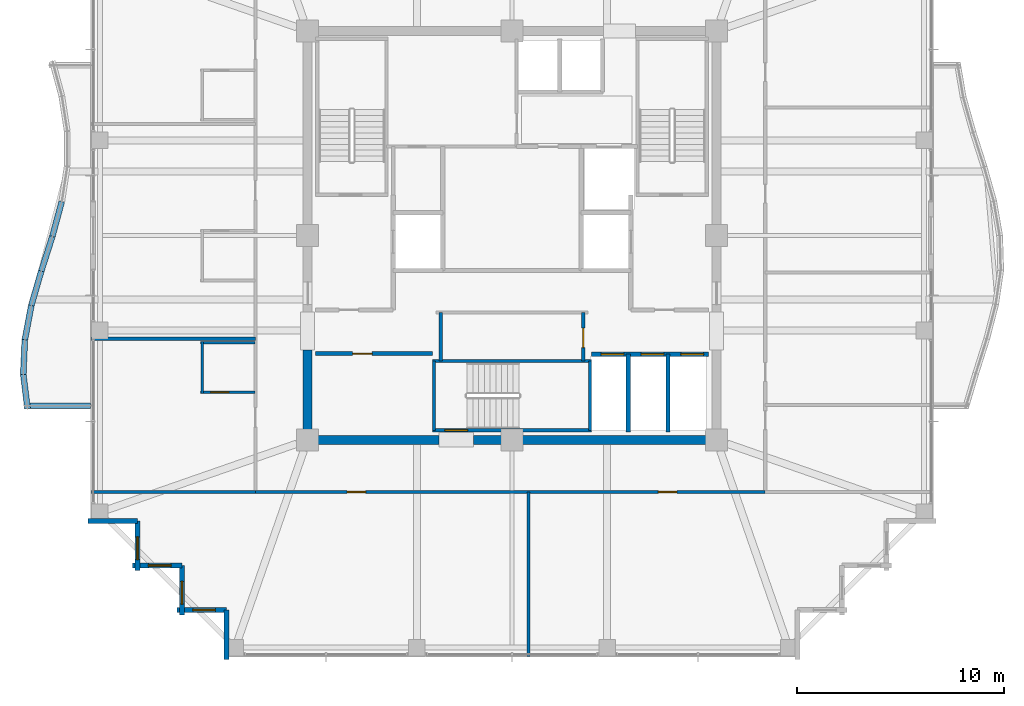
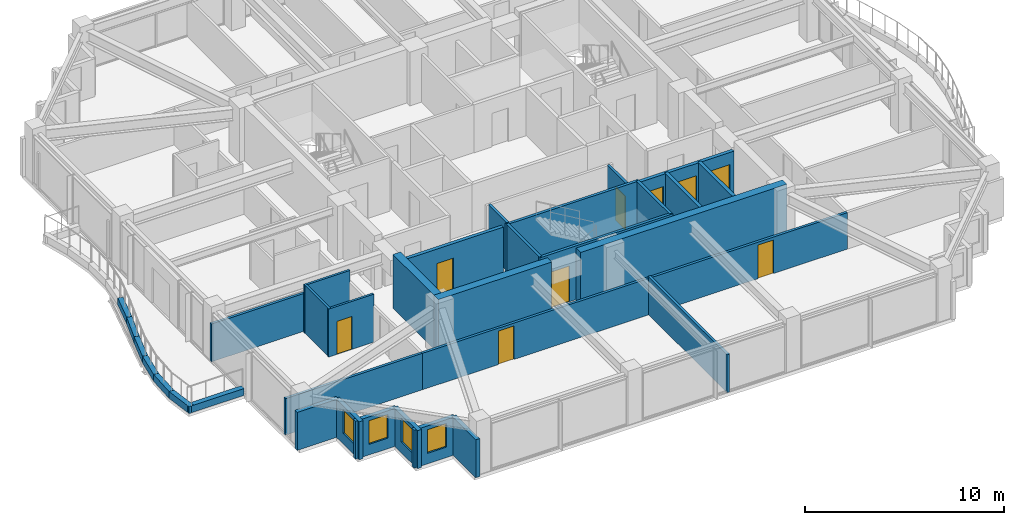
# One storey, part 28 of 34: 33 walls, 9 doors, 4 windows, 13 openings.
"""IFC4 building model written with IfcOpenShell, lengths in metres."""

from ifc_helpers import new_model, si_unit, direction, frame, frame_2d, origin, place, context, subcontext, project, spatial, rectangle, extrude, material, layer, layer_set, type_object, element, fill, save


model = new_model("IFC4")

# Units and contexts
model_context = context("Model", 3, precision=1e-05, world=origin(), true_north=direction((0.0, 1.0)))
body_context = subcontext(model_context, "Body", "Model", "MODEL_VIEW")
ifc_project = project(units=[si_unit("LENGTHUNIT", "METRE"), si_unit("AREAUNIT", "SQUARE_METRE"), si_unit("VOLUMEUNIT", "CUBIC_METRE"), si_unit("PLANEANGLEUNIT", "RADIAN"), si_unit("MASSUNIT", "GRAM", prefix="KILO")], contexts=[model_context])

# Site, building, storey
site_placement = place(None, origin())
site = spatial("IfcSite", under=ifc_project, at=site_placement, CompositionType="ELEMENT")
building_placement = place(site_placement, origin())
building = spatial("IfcBuilding", under=site, at=building_placement, Name="Kolvaren Belvedere", CompositionType="ELEMENT")
storey_placement = place(building_placement, frame((0.0, 0.0, 229.5)))
storey = spatial("IfcBuildingStorey", under=building, at=storey_placement, Name="L67", CompositionType="ELEMENT", Elevation=229.5)

# Walls
ifc_material_1 = material(Name="Concrete C50/60", Category="concrete")
ifc_layer_1 = layer(ifc_material_1, 0.449951171875)
ifc_layer_set_1 = layer_set([ifc_layer_1], Name="Concrete C50/60")
wall_type_1 = type_object("IfcWallType", Name="CW-CORE-450", PredefinedType="SHEAR", material=ifc_layer_set_1)
wall_1_placement = place(storey_placement, frame((10.125, -9.89990234375, 0.0), z_axis=(0.0, 0.0, 1.0), x_axis=(-1.0, 0.0, 0.0)))
element("IfcWall", 1, at=wall_1_placement, inside=storey, type_object=wall_type_1, Name="L67 South Core Shear Wall 1", PredefinedType="SHEAR", context=body_context, shape_type="SweptSolid", body=[
    extrude(rectangle(XDim=11.985107421875, YDim=0.449951171875, at=frame_2d((5.99267578125, 0.0))), origin(), (0.0, 0.0, 1.0), 3.300048828125),
])
wall_2_placement = place(storey_placement, frame((-3.5400390625, -9.89990234375, 0.0), z_axis=(0.0, 0.0, 1.0), x_axis=(-1.0, 0.0, 0.0)))
element("IfcWall", 2, at=wall_2_placement, inside=storey, type_object=wall_type_1, Name="L67 South Core Shear Wall 2", PredefinedType="SHEAR", context=body_context, shape_type="SweptSolid", body=[
    extrude(rectangle(XDim=6.5849609375, YDim=0.449951171875, at=frame_2d((3.29248046875, 0.0))), origin(), (0.0, 0.0, 1.0), 3.300048828125),
])
wall_3_placement = place(storey_placement, frame((-9.89990234375, -9.675048828125, 0.0), z_axis=(0.0, 0.0, 1.0), x_axis=(0.0, 1.0, 0.0)))
element("IfcWall", 3, at=wall_3_placement, inside=storey, type_object=wall_type_1, Name="L67 West Core Shear Wall 1", PredefinedType="SHEAR", context=body_context, shape_type="SweptSolid", body=[
    extrude(rectangle(XDim=4.125, YDim=0.449951171875, at=frame_2d((2.0625, 0.0))), origin(), (0.0, 0.0, 1.0), 3.300048828125),
])

# Wall, opening, door
ifc_material_2 = material(Name="Concrete C50/60", Category="concrete")
ifc_layer_2 = layer(ifc_material_2, 0.159912109375)
ifc_layer_set_2 = layer_set([ifc_layer_2], Name="Concrete C50/60")
wall_type_2 = type_object("IfcWallType", Name="CW-STAIR-160", PredefinedType="SHEAR", material=ifc_layer_set_2)
wall_4_placement = place(storey_placement, frame((3.860107421875, -9.429931640625, 0.0), z_axis=(0.0, 0.0, 1.0), x_axis=(-1.0, 0.0, 0.0)))
wall_4 = element("IfcWall", 4, at=wall_4_placement, inside=storey, type_object=wall_type_2, Name="L67 Stair ST-3 South Shear Wall", PredefinedType="SHEAR", context=body_context, shape_type="SweptSolid", body=[
    extrude(rectangle(XDim=7.72021484375, YDim=0.159912109375, at=frame_2d((3.860107421875, 0.0))), origin(), (0.0, 0.0, 1.0), 3.300048828125),
])
opening_1_placement = place(wall_4_placement, frame((6.010009765625, 0.0, 0.0)))
opening_1 = element("IfcOpeningElement", 5, at=opening_1_placement, cuts=wall_4, Name="Opening D-FD90", PredefinedType="OPENING", context=body_context, shape_type="SweptSolid", body=[
    extrude(rectangle(XDim=1.10009765625, YDim=2.199951171875, at=frame_2d((0.550048828125, 1.10009765625))), frame((0.0, 0.08984375, 0.0), z_axis=(0.0, -1.0, 0.0), x_axis=(1.0, 0.0, 0.0)), (0.0, 0.0, 1.0), 0.179931640625),
])
ifc_material_3 = material(Name="Painted hollow stainless steel", Category="steel")
door_type_1 = type_object("IfcDoorType", Name="DR-FD90-1100", OperationType="NOTDEFINED", PredefinedType="DOOR", material=ifc_material_3)
door_1_placement = place(opening_1_placement, origin())
door_1 = element("IfcDoor", 6, at=door_1_placement, inside=storey, type_object=door_type_1, Name="L67 Stair ST-3 Exit Door", OperationType="SINGLE_SWING_RIGHT", OverallHeight=2.199951171875, OverallWidth=1.10009765625, PredefinedType="DOOR", context=body_context, shape_type="SweptSolid", body=[
    extrude(rectangle(XDim=1.10009765625, YDim=2.199951171875, at=frame_2d((0.550048828125, 1.10009765625))), frame((0.0, 0.02490234375, 0.0), z_axis=(0.0, -1.0, 0.0), x_axis=(1.0, 0.0, 0.0)), (0.0, 0.0, 1.0), 0.050048828125),
])
fill(opening_1, door_1)

# Walls
wall_5_placement = place(storey_placement, frame((-3.860107421875, -6.080078125, 0.0), z_axis=(0.0, 0.0, 1.0), x_axis=(1.0, 0.0, 0.0)))
element("IfcWall", 7, at=wall_5_placement, inside=storey, type_object=wall_type_2, Name="L67 Stair ST-3 North Shear Wall", PredefinedType="SHEAR", context=body_context, shape_type="SweptSolid", body=[
    extrude(rectangle(XDim=7.72021484375, YDim=0.159912109375, at=frame_2d((3.860107421875, 0.0))), origin(), (0.0, 0.0, 1.0), 3.300048828125),
])
for number, where, z_axis, x_axis, name in (
    (8, (-3.780029296875, -9.429931640625, 0.0), (0.0, 0.0, 1.0), (0.0, 1.0, 0.0), "L67 Stair ST-3 West Shear Wall"),
    (9, (3.780029296875, -9.429931640625, 0.0), (0.0, 0.0, 1.0), (0.0, 1.0, 0.0), "L67 Stair ST-3 East Shear Wall"),
):
    element("IfcWall", number, at=place(storey_placement, frame(where, z_axis=z_axis, x_axis=x_axis)), inside=storey, type_object=wall_type_2, Name=name, PredefinedType="SHEAR", context=body_context, shape_type="SweptSolid", body=[
        extrude(rectangle(XDim=3.349853515625, YDim=0.159912109375, at=frame_2d((1.6748046875, 0.0))), origin(), (0.0, 0.0, 1.0), 3.300048828125),
    ])

# Wall, openings, doors
ifc_material_4 = material(Name="Gypsum fire-rated partition assembly", Category="gypsum")
ifc_layer_3 = layer(ifc_material_4, 0.14990234375)
ifc_layer_set_3 = layer_set([ifc_layer_3], Name="Gypsum fire-rated partition assembly")
wall_type_3 = type_object("IfcWallType", Name="WL-CORR-150", PredefinedType="PARTITIONING", material=ifc_layer_set_3)
wall_6_placement = place(storey_placement, frame((-12.419921875, -12.419921875, 0.0), z_axis=(0.0, 0.0, 1.0), x_axis=(1.0, 0.0, 0.0)))
wall_6 = element("IfcWall", 10, at=wall_6_placement, inside=storey, type_object=wall_type_3, Name="L67 South Corridor Wall", PredefinedType="PARTITIONING", context=body_context, shape_type="SweptSolid", body=[
    extrude(rectangle(XDim=24.679931640625, YDim=0.14990234375, at=frame_2d((12.33984375, 0.0))), origin(), (0.0, 0.0, 1.0), 2.239013671875),
])
opening_2_placement = place(wall_6_placement, frame((4.43505859375, 0.0, 0.0)))
opening_2 = element("IfcOpeningElement", 11, at=opening_2_placement, cuts=wall_6, Name="Opening D-INT90", PredefinedType="OPENING", context=body_context, shape_type="SweptSolid", body=[
    extrude(rectangle(XDim=0.89990234375, YDim=2.06005859375, at=frame_2d((0.449951171875, 1.030029296875))), frame((0.0, 0.0849609375, 0.0), z_axis=(0.0, -1.0, 0.0), x_axis=(1.0, 0.0, 0.0)), (0.0, 0.0, 1.0), 0.169921875),
])
opening_3_placement = place(wall_6_placement, frame((19.5048828125, 0.0, 0.0)))
opening_3 = element("IfcOpeningElement", 12, at=opening_3_placement, cuts=wall_6, Name="Opening D-INT90", PredefinedType="OPENING", context=body_context, shape_type="SweptSolid", body=[
    extrude(rectangle(XDim=0.89990234375, YDim=2.06005859375, at=frame_2d((0.449951171875, 1.030029296875))), frame((0.0, 0.0849609375, 0.0), z_axis=(0.0, -1.0, 0.0), x_axis=(1.0, 0.0, 0.0)), (0.0, 0.0, 1.0), 0.169921875),
])
ifc_material_5 = material(Name="Stained Pacific white oak", Category="timber")
door_type_2 = type_object("IfcDoorType", Name="DR-INT-900", OperationType="NOTDEFINED", PredefinedType="DOOR", material=ifc_material_5)
door_2_placement = place(opening_2_placement, origin())
door_2 = element("IfcDoor", 13, at=door_2_placement, inside=storey, type_object=door_type_2, Name="L67 Lounge 6701 Door", OperationType="SINGLE_SWING_RIGHT", OverallHeight=2.06005859375, OverallWidth=0.89990234375, PredefinedType="DOOR", context=body_context, shape_type="SweptSolid", body=[
    extrude(rectangle(XDim=0.89990234375, YDim=2.06005859375, at=frame_2d((0.449951171875, 1.030029296875))), frame((0.0, 0.02490234375, 0.0), z_axis=(0.0, -1.0, 0.0), x_axis=(1.0, 0.0, 0.0)), (0.0, 0.0, 1.0), 0.050048828125),
])
fill(opening_2, door_2)
door_3_placement = place(opening_3_placement, origin())
door_3 = element("IfcDoor", 14, at=door_3_placement, inside=storey, type_object=door_type_2, Name="L67 Lounge 6702 Door", OperationType="SINGLE_SWING_LEFT", OverallHeight=2.06005859375, OverallWidth=0.89990234375, PredefinedType="DOOR", context=body_context, shape_type="SweptSolid", body=[
    extrude(rectangle(XDim=0.89990234375, YDim=2.06005859375, at=frame_2d((0.449951171875, 1.030029296875))), frame((0.0, 0.02490234375, 0.0), z_axis=(0.0, -1.0, 0.0), x_axis=(1.0, 0.0, 0.0)), (0.0, 0.0, 1.0), 0.050048828125),
])
fill(opening_3, door_3)

# Wall
ifc_material_6 = material(Name="Insulated pale-metal facade wall assembly", Category="aluminium")
ifc_layer_4 = layer(ifc_material_6, 0.239990234375)
ifc_layer_set_4 = layer_set([ifc_layer_4], Name="Insulated pale-metal facade wall assembly")
wall_type_4 = type_object("IfcWallType", Name="WL-EXT-240", PredefinedType="STANDARD", material=ifc_layer_set_4)
wall_7_placement = place(storey_placement, frame((-18.1298828125, -13.830078125, 0.0), z_axis=(0.0, 0.0, 1.0), x_axis=(-1.0, 0.0, 0.0)))
element("IfcWall", 15, at=wall_7_placement, inside=storey, type_object=wall_type_4, Name="L67 Serrated Corner Facade Wall 23", PredefinedType="STANDARD", context=body_context, shape_type="SweptSolid", body=[
    extrude(rectangle(XDim=2.39013671875, YDim=0.239990234375, at=frame_2d((1.195068359375, 0.0))), origin(), (0.0, 0.0, 1.0), 2.3330078125),
])

# Wall, opening, window
wall_8_placement = place(storey_placement, frame((-18.1298828125, -16.219970703125, 0.0), z_axis=(0.0, 0.0, 1.0), x_axis=(0.0, 1.0, 0.0)))
wall_8 = element("IfcWall", 16, at=wall_8_placement, inside=storey, type_object=wall_type_4, Name="L67 Serrated Corner Facade Wall 24", PredefinedType="STANDARD", context=body_context, shape_type="SweptSolid", body=[
    extrude(rectangle(XDim=2.389892578125, YDim=0.239990234375, at=frame_2d((1.19482421875, 0.0))), origin(), (0.0, 0.0, 1.0), 2.3330078125),
])
opening_4_placement = place(wall_8_placement, frame((0.52490234375, 0.0, 0.64990234375)))
opening_4 = element("IfcOpeningElement", 17, at=opening_4_placement, cuts=wall_8, Name="Opening W-1100", PredefinedType="OPENING", context=body_context, shape_type="SweptSolid", body=[
    extrude(rectangle(XDim=1.10009765625, YDim=1.449951171875, at=frame_2d((0.550048828125, 0.72509765625))), frame((0.0, 0.1298828125, 0.0), z_axis=(0.0, -1.0, 0.0), x_axis=(1.0, 0.0, 0.0)), (0.0, 0.0, 1.0), 0.260009765625),
])
ifc_material_7 = material(Name="Low-iron triple insulated glass", Category="glass")
window_type = type_object("IfcWindowType", Name="WN-CORN-1100", PartitioningType="SINGLE_PANEL", PredefinedType="WINDOW", material=ifc_material_7)
window_1_placement = place(opening_4_placement, origin())
window_1 = element("IfcWindow", 18, at=window_1_placement, inside=storey, type_object=window_type, Name="L67 Serrated Corner Vision Window 24", OverallHeight=1.449951171875, OverallWidth=1.10009765625, PartitioningType="SINGLE_PANEL", PredefinedType="WINDOW", context=body_context, shape_type="SweptSolid", body=[
    extrude(rectangle(XDim=1.10009765625, YDim=1.449951171875, at=frame_2d((0.550048828125, 0.72509765625))), frame((0.0, 0.030029296875, 0.0), z_axis=(0.0, -1.0, 0.0), x_axis=(1.0, 0.0, 0.0)), (0.0, 0.0, 1.0), 0.06005859375),
])
fill(opening_4, window_1)

wall_9_placement = place(storey_placement, frame((-15.97998046875, -15.97998046875, 0.0), z_axis=(0.0, 0.0, 1.0), x_axis=(-1.0, 0.0, 0.0)))
wall_9 = element("IfcWall", 19, at=wall_9_placement, inside=storey, type_object=wall_type_4, Name="L67 Serrated Corner Facade Wall 25", PredefinedType="STANDARD", context=body_context, shape_type="SweptSolid", body=[
    extrude(rectangle(XDim=2.39013671875, YDim=0.239990234375, at=frame_2d((1.195068359375, 0.0))), origin(), (0.0, 0.0, 1.0), 2.3330078125),
])
opening_5_placement = place(wall_9_placement, frame((0.52490234375, 0.0, 0.64990234375)))
opening_5 = element("IfcOpeningElement", 20, at=opening_5_placement, cuts=wall_9, Name="Opening W-1100", PredefinedType="OPENING", context=body_context, shape_type="SweptSolid", body=[
    extrude(rectangle(XDim=1.10009765625, YDim=1.449951171875, at=frame_2d((0.550048828125, 0.72509765625))), frame((0.0, 0.1298828125, 0.0), z_axis=(0.0, -1.0, 0.0), x_axis=(1.0, 0.0, 0.0)), (0.0, 0.0, 1.0), 0.260009765625),
])
window_2_placement = place(opening_5_placement, origin())
window_2 = element("IfcWindow", 21, at=window_2_placement, inside=storey, type_object=window_type, Name="L67 Serrated Corner Vision Window 25", OverallHeight=1.449951171875, OverallWidth=1.10009765625, PartitioningType="SINGLE_PANEL", PredefinedType="WINDOW", context=body_context, shape_type="SweptSolid", body=[
    extrude(rectangle(XDim=1.10009765625, YDim=1.449951171875, at=frame_2d((0.550048828125, 0.72509765625))), frame((0.0, 0.030029296875, 0.0), z_axis=(0.0, -1.0, 0.0), x_axis=(1.0, 0.0, 0.0)), (0.0, 0.0, 1.0), 0.06005859375),
])
fill(opening_5, window_2)

wall_10_placement = place(storey_placement, frame((-15.97998046875, -18.3701171875, 0.0), z_axis=(0.0, 0.0, 1.0), x_axis=(0.0, 1.0, 0.0)))
wall_10 = element("IfcWall", 22, at=wall_10_placement, inside=storey, type_object=wall_type_4, Name="L67 Serrated Corner Facade Wall 26", PredefinedType="STANDARD", context=body_context, shape_type="SweptSolid", body=[
    extrude(rectangle(XDim=2.39013671875, YDim=0.239990234375, at=frame_2d((1.195068359375, 0.0))), origin(), (0.0, 0.0, 1.0), 2.3330078125),
])
opening_6_placement = place(wall_10_placement, frame((0.52490234375, 0.0, 0.64990234375)))
opening_6 = element("IfcOpeningElement", 23, at=opening_6_placement, cuts=wall_10, Name="Opening W-1100", PredefinedType="OPENING", context=body_context, shape_type="SweptSolid", body=[
    extrude(rectangle(XDim=1.10009765625, YDim=1.449951171875, at=frame_2d((0.550048828125, 0.72509765625))), frame((0.0, 0.1298828125, 0.0), z_axis=(0.0, -1.0, 0.0), x_axis=(1.0, 0.0, 0.0)), (0.0, 0.0, 1.0), 0.260009765625),
])
window_3_placement = place(opening_6_placement, origin())
window_3 = element("IfcWindow", 24, at=window_3_placement, inside=storey, type_object=window_type, Name="L67 Serrated Corner Vision Window 26", OverallHeight=1.449951171875, OverallWidth=1.10009765625, PartitioningType="SINGLE_PANEL", PredefinedType="WINDOW", context=body_context, shape_type="SweptSolid", body=[
    extrude(rectangle(XDim=1.10009765625, YDim=1.449951171875, at=frame_2d((0.550048828125, 0.72509765625))), frame((0.0, 0.030029296875, 0.0), z_axis=(0.0, -1.0, 0.0), x_axis=(1.0, 0.0, 0.0)), (0.0, 0.0, 1.0), 0.06005859375),
])
fill(opening_6, window_3)

wall_11_placement = place(storey_placement, frame((-13.830078125, -18.1298828125, 0.0), z_axis=(0.0, 0.0, 1.0), x_axis=(-1.0, 0.0, 0.0)))
wall_11 = element("IfcWall", 25, at=wall_11_placement, inside=storey, type_object=wall_type_4, Name="L67 Serrated Corner Facade Wall 27", PredefinedType="STANDARD", context=body_context, shape_type="SweptSolid", body=[
    extrude(rectangle(XDim=2.389892578125, YDim=0.239990234375, at=frame_2d((1.19482421875, 0.0))), origin(), (0.0, 0.0, 1.0), 2.3330078125),
])
opening_7_placement = place(wall_11_placement, frame((0.52490234375, 0.0, 0.64990234375)))
opening_7 = element("IfcOpeningElement", 26, at=opening_7_placement, cuts=wall_11, Name="Opening W-1100", PredefinedType="OPENING", context=body_context, shape_type="SweptSolid", body=[
    extrude(rectangle(XDim=1.10009765625, YDim=1.449951171875, at=frame_2d((0.550048828125, 0.72509765625))), frame((0.0, 0.1298828125, 0.0), z_axis=(0.0, -1.0, 0.0), x_axis=(1.0, 0.0, 0.0)), (0.0, 0.0, 1.0), 0.260009765625),
])
window_4_placement = place(opening_7_placement, origin())
window_4 = element("IfcWindow", 27, at=window_4_placement, inside=storey, type_object=window_type, Name="L67 Serrated Corner Vision Window 27", OverallHeight=1.449951171875, OverallWidth=1.10009765625, PartitioningType="SINGLE_PANEL", PredefinedType="WINDOW", context=body_context, shape_type="SweptSolid", body=[
    extrude(rectangle(XDim=1.10009765625, YDim=1.449951171875, at=frame_2d((0.550048828125, 0.72509765625))), frame((0.0, 0.030029296875, 0.0), z_axis=(0.0, -1.0, 0.0), x_axis=(1.0, 0.0, 0.0)), (0.0, 0.0, 1.0), 0.06005859375),
])
fill(opening_7, window_4)

# Wall
wall_12_placement = place(storey_placement, frame((-13.830078125, -20.52001953125, 0.0), z_axis=(0.0, 0.0, 1.0), x_axis=(0.0, 1.0, 0.0)))
element("IfcWall", 28, at=wall_12_placement, inside=storey, type_object=wall_type_4, Name="L67 Serrated Corner Facade Wall 28", PredefinedType="STANDARD", context=body_context, shape_type="SweptSolid", body=[
    extrude(rectangle(XDim=2.39013671875, YDim=0.239990234375, at=frame_2d((1.195068359375, 0.0))), origin(), (0.0, 0.0, 1.0), 2.3330078125),
])

# Wall, opening, door
ifc_material_8 = material(Name="Gypsum acoustic partition assembly", Category="gypsum")
ifc_layer_5 = layer(ifc_material_8, 0.14990234375)
ifc_layer_set_5 = layer_set([ifc_layer_5], Name="Gypsum acoustic partition assembly")
wall_type_5 = type_object("IfcWallType", Name="WL-PART-150", PredefinedType="PARTITIONING", material=ifc_layer_set_5)
wall_13_placement = place(storey_placement, frame((3.449951171875, -6.080078125, 0.0), z_axis=(0.0, 0.0, 1.0), x_axis=(0.0, 1.0, 0.0)))
wall_13 = element("IfcWall", 29, at=wall_13_placement, inside=storey, type_object=wall_type_5, Name="L67 South Core Service East Wall", PredefinedType="PARTITIONING", context=body_context, shape_type="SweptSolid", body=[
    extrude(rectangle(XDim=2.360107421875, YDim=0.14990234375, at=frame_2d((1.18017578125, 0.0))), origin(), (0.0, 0.0, 1.0), 2.949951171875),
])
opening_8_placement = place(wall_13_placement, frame((0.64990234375, 0.0, 0.0)))
opening_8 = element("IfcOpeningElement", 30, at=opening_8_placement, cuts=wall_13, Name="Opening D-FD60", PredefinedType="OPENING", context=body_context, shape_type="SweptSolid", body=[
    extrude(rectangle(XDim=0.949951171875, YDim=2.06005859375, at=frame_2d((0.47509765625, 1.030029296875))), frame((0.0, 0.0849609375, 0.0), z_axis=(0.0, -1.0, 0.0), x_axis=(1.0, 0.0, 0.0)), (0.0, 0.0, 1.0), 0.169921875),
])
ifc_material_9 = material(Name="Acoustic white-oak fire door leaf", Category="timber")
door_type_3 = type_object("IfcDoorType", Name="DR-FD60-950", OperationType="NOTDEFINED", PredefinedType="DOOR", material=ifc_material_9)
door_4_placement = place(opening_8_placement, origin())
door_4 = element("IfcDoor", 31, at=door_4_placement, inside=storey, type_object=door_type_3, Name="L67 Core Service Room Door", OperationType="SINGLE_SWING_LEFT", OverallHeight=2.06005859375, OverallWidth=0.949951171875, PredefinedType="DOOR", context=body_context, shape_type="SweptSolid", body=[
    extrude(rectangle(XDim=0.949951171875, YDim=2.06005859375, at=frame_2d((0.47509765625, 1.030029296875))), frame((0.0, 0.02490234375, 0.0), z_axis=(0.0, -1.0, 0.0), x_axis=(1.0, 0.0, 0.0)), (0.0, 0.0, 1.0), 0.050048828125),
])
fill(opening_8, door_4)

# Walls
wall_14_placement = place(storey_placement, frame((-3.449951171875, -6.080078125, 0.0), z_axis=(0.0, 0.0, 1.0), x_axis=(0.0, 1.0, 0.0)))
element("IfcWall", 32, at=wall_14_placement, inside=storey, type_object=wall_type_5, Name="L67 South Core Service West Wall", PredefinedType="PARTITIONING", context=body_context, shape_type="SweptSolid", body=[
    extrude(rectangle(XDim=2.360107421875, YDim=0.14990234375, at=frame_2d((1.18017578125, 0.0))), origin(), (0.0, 0.0, 1.0), 2.949951171875),
])
wall_15_placement = place(storey_placement, frame((-20.3798828125, -12.419921875, 0.0), z_axis=(0.0, 0.0, 1.0), x_axis=(1.0, 0.0, 0.0)))
element("IfcWall", 33, at=wall_15_placement, inside=storey, type_object=wall_type_5, Name="L67 Wing Divider PW-L67-QSW", PredefinedType="PARTITIONING", context=body_context, shape_type="SweptSolid", body=[
    extrude(rectangle(XDim=7.9599609375, YDim=0.14990234375, at=frame_2d((3.97998046875, 0.0))), origin(), (0.0, 0.0, 1.0), 2.239013671875),
])
for number, where, z_axis, x_axis, name in (
    (34, (0.800048828125, -20.3798828125, 0.0), (0.0, 0.0, 1.0), (0.0, 1.0, 0.0), "L67 South Suite Demising Wall 1"),
    (35, (-20.3798828125, -5.0, 0.0), (0.0, 0.0, 1.0), (1.0, 0.0, 0.0), "L67 West Suite Demising Wall 1"),
):
    element("IfcWall", number, at=place(storey_placement, frame(where, z_axis=z_axis, x_axis=x_axis)), inside=storey, type_object=wall_type_5, Name=name, PredefinedType="PARTITIONING", context=body_context, shape_type="SweptSolid", body=[
        extrude(rectangle(XDim=7.9599609375, YDim=0.14990234375, at=frame_2d((3.97998046875, 0.0))), origin(), (0.0, 0.0, 1.0), 2.322998046875),
    ])
ifc_material_10 = material(Name="Precast concrete C40/50", Category="concrete")
ifc_layer_6 = layer(ifc_material_10, 0.300048828125)
ifc_layer_set_6 = layer_set([ifc_layer_6], Name="Precast concrete C40/50")
wall_type_6 = type_object("IfcWallType", Name="WL-PLANTER-300", PredefinedType="PARAPET", material=ifc_layer_set_6)
wall_16_placement = place(storey_placement, frame((-21.798095703125, 1.63818359375, -0.0400390625), z_axis=(0.0, 0.0, 1.0), x_axis=(-0.260682852326, -0.965424492388, 0.0)))
element("IfcWall", 36, at=wall_16_placement, inside=storey, type_object=wall_type_6, Name="L67 Precast Structural Planter Wall BAL-W-5", PredefinedType="PARAPET", context=body_context, shape_type="SweptSolid", body=[
    extrude(rectangle(XDim=1.739990234375, YDim=0.280029296875, at=frame_2d((0.8701171875, 0.0))), origin(), (0.0, 0.0, 1.0), 0.419921875),
])
wall_17_placement = place(storey_placement, frame((-22.25390625, -0.048583984375, -0.0400390625), z_axis=(0.0, 0.0, 1.0), x_axis=(-0.304032153573, -0.952661770826, 0.0)))
element("IfcWall", 37, at=wall_17_placement, inside=storey, type_object=wall_type_6, Name="L67 Precast Structural Planter Wall BAL-W-6", PredefinedType="PARAPET", context=body_context, shape_type="SweptSolid", body=[
    extrude(rectangle(XDim=1.763427734375, YDim=0.280029296875, at=frame_2d((0.8818359375, 0.0))), origin(), (0.0, 0.0, 1.0), 0.419921875),
])
wall_18_placement = place(storey_placement, frame((-22.788818359375, -1.724609375, -0.0400390625), z_axis=(0.0, 0.0, 1.0), x_axis=(-0.277817391164, -0.960633903819, 0.0)))
element("IfcWall", 38, at=wall_18_placement, inside=storey, type_object=wall_type_6, Name="L67 Precast Structural Planter Wall BAL-W-7", PredefinedType="PARAPET", context=body_context, shape_type="SweptSolid", body=[
    extrude(rectangle(XDim=1.748779296875, YDim=0.280029296875, at=frame_2d((0.87451171875, 0.0))), origin(), (0.0, 0.0, 1.0), 0.419921875),
])
wall_19_placement = place(storey_placement, frame((-23.271240234375, -3.3896484375, -0.0400390625), z_axis=(0.0, 0.0, 1.0), x_axis=(-0.18467658162, -0.982799348901, 0.0)))
element("IfcWall", 39, at=wall_19_placement, inside=storey, type_object=wall_type_6, Name="L67 Precast Structural Planter Wall BAL-W-8", PredefinedType="PARAPET", context=body_context, shape_type="SweptSolid", body=[
    extrude(rectangle(XDim=1.709228515625, YDim=0.280029296875, at=frame_2d((0.8544921875, 0.0))), origin(), (0.0, 0.0, 1.0), 0.419921875),
])
wall_20_placement = place(storey_placement, frame((-23.58447265625, -5.047119140625, -0.0400390625), z_axis=(0.0, 0.0, 1.0), x_axis=(-0.044999415011, -0.998987013253, 0.0)))
element("IfcWall", 40, at=wall_20_placement, inside=storey, type_object=wall_type_6, Name="L67 Precast Structural Planter Wall BAL-W-9", PredefinedType="PARAPET", context=body_context, shape_type="SweptSolid", body=[
    extrude(rectangle(XDim=1.681884765625, YDim=0.280029296875, at=frame_2d((0.8408203125, 0.0))), origin(), (0.0, 0.0, 1.0), 0.419921875),
])
wall_21_placement = place(storey_placement, frame((-23.6611328125, -6.700439453125, -0.0400390625), z_axis=(0.0, 0.0, 1.0), x_axis=(0.121868867697, -0.992546210051, 0.0)))
element("IfcWall", 41, at=wall_21_placement, inside=storey, type_object=wall_type_6, Name="L67 Precast Structural Planter Wall BAL-W-10", PredefinedType="PARAPET", context=body_context, shape_type="SweptSolid", body=[
    extrude(rectangle(XDim=1.69287109375, YDim=0.280029296875, at=frame_2d((0.846435546875, 0.0))), origin(), (0.0, 0.0, 1.0), 0.419921875),
])
wall_22_placement = place(storey_placement, frame((-23.61376953125, -8.239990234375, -0.0400390625), z_axis=(0.0, 0.0, 1.0), x_axis=(1.0, 0.0, 0.0)))
element("IfcWall", 42, at=wall_22_placement, inside=storey, type_object=wall_type_6, Name="L67 Precast Structural Planter Wall BAL-W-11", PredefinedType="PARAPET", context=body_context, shape_type="SweptSolid", body=[
    extrude(rectangle(XDim=3.2138671875, YDim=0.280029296875, at=frame_2d((1.60693359375, 0.0))), origin(), (0.0, 0.0, 1.0), 0.419921875),
])

# Wall, opening, door
ifc_material_11 = material(Name="Concrete C50/60", Category="concrete")
ifc_layer_7 = layer(ifc_material_11, 0.199951171875)
ifc_layer_set_7 = layer_set([ifc_layer_7], Name="Concrete C50/60")
wall_type_7 = type_object("IfcWallType", Name="WL-SHAFT-200", PredefinedType="SOLIDWALL", material=ifc_layer_set_7)
wall_23_placement = place(storey_placement, frame((-9.52001953125, -5.719970703125, 0.0), z_axis=(0.0, 0.0, 1.0), x_axis=(1.0, 0.0, 0.0)))
wall_23 = element("IfcWall", 43, at=wall_23_placement, inside=storey, type_object=wall_type_7, Name="L67 Reclaimed Mid Room North Wall", PredefinedType="SOLIDWALL", context=body_context, shape_type="SweptSolid", body=[
    extrude(rectangle(XDim=5.659912109375, YDim=0.199951171875, at=frame_2d((2.830078125, 0.0))), origin(), (0.0, 0.0, 1.0), 2.949951171875),
])
opening_9_placement = place(wall_23_placement, frame((1.800048828125, 0.0, 0.0)))
opening_9 = element("IfcOpeningElement", 44, at=opening_9_placement, cuts=wall_23, Name="Opening D-FD60", PredefinedType="OPENING", context=body_context, shape_type="SweptSolid", body=[
    extrude(rectangle(XDim=0.949951171875, YDim=2.06005859375, at=frame_2d((0.47509765625, 1.030029296875))), frame((0.0, 0.10986328125, 0.0), z_axis=(0.0, -1.0, 0.0), x_axis=(1.0, 0.0, 0.0)), (0.0, 0.0, 1.0), 0.219970703125),
])
door_5_placement = place(opening_9_placement, origin())
door_5 = element("IfcDoor", 45, at=door_5_placement, inside=storey, type_object=door_type_3, Name="L67 Sky Sommelier & Tasting Room Entry Door", OperationType="SINGLE_SWING_LEFT", OverallHeight=2.06005859375, OverallWidth=0.949951171875, PredefinedType="DOOR", context=body_context, shape_type="SweptSolid", body=[
    extrude(rectangle(XDim=0.949951171875, YDim=2.06005859375, at=frame_2d((0.47509765625, 1.030029296875))), frame((0.0, 0.02490234375, 0.0), z_axis=(0.0, -1.0, 0.0), x_axis=(1.0, 0.0, 0.0)), (0.0, 0.0, 1.0), 0.050048828125),
])
fill(opening_9, door_5)

# Wall, openings, doors
wall_24_placement = place(storey_placement, frame((3.860107421875, -5.75, 0.0), z_axis=(0.0, 0.0, 1.0), x_axis=(1.0, 0.0, 0.0)))
wall_24 = element("IfcWall", 46, at=wall_24_placement, inside=storey, type_object=wall_type_7, Name="L67 High-Rise Lift Bank Front Wall", PredefinedType="SOLIDWALL", context=body_context, shape_type="SweptSolid", body=[
    extrude(rectangle(XDim=5.659912109375, YDim=0.199951171875, at=frame_2d((2.830078125, 0.0))), origin(), (0.0, 0.0, 1.0), 2.949951171875),
])
opening_10_placement = place(wall_24_placement, frame((0.4599609375, 0.0, 0.0)))
opening_10 = element("IfcOpeningElement", 47, at=opening_10_placement, cuts=wall_24, Name="Opening LD-11", PredefinedType="OPENING", context=body_context, shape_type="SweptSolid", body=[
    extrude(rectangle(XDim=1.10009765625, YDim=2.199951171875, at=frame_2d((0.550048828125, 1.10009765625))), frame((0.0, 0.10986328125, 0.0), z_axis=(0.0, -1.0, 0.0), x_axis=(1.0, 0.0, 0.0)), (0.0, 0.0, 1.0), 0.219970703125),
])
opening_11_placement = place(wall_24_placement, frame((2.389892578125, 0.0, 0.0)))
opening_11 = element("IfcOpeningElement", 48, at=opening_11_placement, cuts=wall_24, Name="Opening LD-11", PredefinedType="OPENING", context=body_context, shape_type="SweptSolid", body=[
    extrude(rectangle(XDim=1.10009765625, YDim=2.199951171875, at=frame_2d((0.550048828125, 1.10009765625))), frame((0.0, 0.10986328125, 0.0), z_axis=(0.0, -1.0, 0.0), x_axis=(1.0, 0.0, 0.0)), (0.0, 0.0, 1.0), 0.219970703125),
])
opening_12_placement = place(wall_24_placement, frame((4.320068359375, 0.0, 0.0)))
opening_12 = element("IfcOpeningElement", 49, at=opening_12_placement, cuts=wall_24, Name="Opening LD-11", PredefinedType="OPENING", context=body_context, shape_type="SweptSolid", body=[
    extrude(rectangle(XDim=1.10009765625, YDim=2.199951171875, at=frame_2d((0.550048828125, 1.10009765625))), frame((0.0, 0.10986328125, 0.0), z_axis=(0.0, -1.0, 0.0), x_axis=(1.0, 0.0, 0.0)), (0.0, 0.0, 1.0), 0.219970703125),
])
ifc_material_12 = material(Name="Brushed stainless steel", Category="steel")
door_type_4 = type_object("IfcDoorType", Name="DR-LIFT-1100", OperationType="DOUBLE_DOOR_SLIDING", PredefinedType="DOOR", material=ifc_material_12)
door_6_placement = place(opening_10_placement, origin())
door_6 = element("IfcDoor", 50, at=door_6_placement, inside=storey, type_object=door_type_4, Name="L67 Passenger Lift P7 Landing Door", OperationType="DOUBLE_DOOR_SLIDING", OverallHeight=2.199951171875, OverallWidth=1.10009765625, PredefinedType="DOOR", context=body_context, shape_type="SweptSolid", body=[
    extrude(rectangle(XDim=1.10009765625, YDim=2.199951171875, at=frame_2d((0.550048828125, 1.10009765625))), frame((0.0, 0.02490234375, 0.0), z_axis=(0.0, -1.0, 0.0), x_axis=(1.0, 0.0, 0.0)), (0.0, 0.0, 1.0), 0.050048828125),
])
fill(opening_10, door_6)
door_7_placement = place(opening_11_placement, origin())
door_7 = element("IfcDoor", 51, at=door_7_placement, inside=storey, type_object=door_type_4, Name="L67 Passenger Lift P8 Landing Door", OperationType="DOUBLE_DOOR_SLIDING", OverallHeight=2.199951171875, OverallWidth=1.10009765625, PredefinedType="DOOR", context=body_context, shape_type="SweptSolid", body=[
    extrude(rectangle(XDim=1.10009765625, YDim=2.199951171875, at=frame_2d((0.550048828125, 1.10009765625))), frame((0.0, 0.02490234375, 0.0), z_axis=(0.0, -1.0, 0.0), x_axis=(1.0, 0.0, 0.0)), (0.0, 0.0, 1.0), 0.050048828125),
])
fill(opening_11, door_7)
door_8_placement = place(opening_12_placement, origin())
door_8 = element("IfcDoor", 52, at=door_8_placement, inside=storey, type_object=door_type_4, Name="L67 Passenger Lift P9 Landing Door", OperationType="DOUBLE_DOOR_SLIDING", OverallHeight=2.199951171875, OverallWidth=1.10009765625, PredefinedType="DOOR", context=body_context, shape_type="SweptSolid", body=[
    extrude(rectangle(XDim=1.10009765625, YDim=2.199951171875, at=frame_2d((0.550048828125, 1.10009765625))), frame((0.0, 0.02490234375, 0.0), z_axis=(0.0, -1.0, 0.0), x_axis=(1.0, 0.0, 0.0)), (0.0, 0.0, 1.0), 0.050048828125),
])
fill(opening_12, door_8)

# Walls
for number, where, z_axis, x_axis, name in (
    (53, (5.6298828125, -9.52001953125, 0.0), (0.0, 0.0, 1.0), (0.0, 1.0, 0.0), "L67 High-Rise Hoistway Divider 1"),
    (54, (7.56005859375, -9.52001953125, 0.0), (0.0, 0.0, 1.0), (0.0, 1.0, 0.0), "L67 High-Rise Hoistway Divider 2"),
):
    element("IfcWall", number, at=place(storey_placement, frame(where, z_axis=z_axis, x_axis=x_axis)), inside=storey, type_object=wall_type_7, Name=name, PredefinedType="SOLIDWALL", context=body_context, shape_type="SweptSolid", body=[
        extrude(rectangle(XDim=3.77001953125, YDim=0.199951171875, at=frame_2d((1.885009765625, 0.0))), origin(), (0.0, 0.0, 1.0), 2.949951171875),
    ])

# Wall, opening, door
ifc_material_13 = material(Name="Moisture-resistant gypsum partition", Category="gypsum")
ifc_layer_8 = layer(ifc_material_13, 0.125)
ifc_layer_set_8 = layer_set([ifc_layer_8], Name="Moisture-resistant gypsum partition")
wall_type_8 = type_object("IfcWallType", Name="WL-WET-125", PredefinedType="PARTITIONING", material=ifc_layer_set_8)
wall_25_placement = place(storey_placement, frame((-15.074951171875, -7.594970703125, 0.0), z_axis=(0.0, 0.0, 1.0), x_axis=(1.0, 0.0, 0.0)))
wall_25 = element("IfcWall", 55, at=wall_25_placement, inside=storey, type_object=wall_type_8, Name="L67 Bathroom Partition PW-L67-BTH-7-N", PredefinedType="PARTITIONING", context=body_context, shape_type="SweptSolid", body=[
    extrude(rectangle(XDim=2.639892578125, YDim=0.125, at=frame_2d((1.31982421875, 0.0))), origin(), (0.0, 0.0, 1.0), 2.949951171875),
])
opening_13_placement = place(wall_25_placement, frame((0.5, 0.0, 0.0)))
opening_13 = element("IfcOpeningElement", 56, at=opening_13_placement, cuts=wall_25, Name="Opening D-BTH85", PredefinedType="OPENING", context=body_context, shape_type="SweptSolid", body=[
    extrude(rectangle(XDim=0.85009765625, YDim=2.030029296875, at=frame_2d((0.425048828125, 1.01513671875))), frame((0.0, 0.072509765625, 0.0), z_axis=(0.0, -1.0, 0.0), x_axis=(1.0, 0.0, 0.0)), (0.0, 0.0, 1.0), 0.14501953125),
])
ifc_material_14 = material(Name="Moisture-sealed Pacific white oak", Category="timber")
door_type_5 = type_object("IfcDoorType", Name="DR-BATH-850", OperationType="NOTDEFINED", PredefinedType="DOOR", material=ifc_material_14)
door_9_placement = place(opening_13_placement, origin())
door_9 = element("IfcDoor", 57, at=door_9_placement, inside=storey, type_object=door_type_5, Name="L67 En-Suite Bathroom 6707 Door", OperationType="SINGLE_SWING_RIGHT", OverallHeight=2.030029296875, OverallWidth=0.85009765625, PredefinedType="DOOR", context=body_context, shape_type="SweptSolid", body=[
    extrude(rectangle(XDim=0.85009765625, YDim=2.030029296875, at=frame_2d((0.425048828125, 1.01513671875))), frame((0.0, 0.02490234375, 0.0), z_axis=(0.0, -1.0, 0.0), x_axis=(1.0, 0.0, 0.0)), (0.0, 0.0, 1.0), 0.050048828125),
])
fill(opening_13, door_9)

# Walls
wall_26_placement = place(storey_placement, frame((-14.9951171875, -7.655029296875, 0.0), z_axis=(0.0, 0.0, 1.0), x_axis=(0.0, 1.0, 0.0)))
element("IfcWall", 58, at=wall_26_placement, inside=storey, type_object=wall_type_8, Name="L67 Bathroom Partition PW-L67-BTH-7-V", PredefinedType="PARTITIONING", context=body_context, shape_type="SweptSolid", body=[
    extrude(rectangle(XDim=2.52001953125, YDim=0.125, at=frame_2d((1.260009765625, 0.0))), origin(), (0.0, 0.0, 1.0), 2.949951171875),
])
wall_27_placement = place(storey_placement, frame((-15.074951171875, -5.195068359375, 0.0), z_axis=(0.0, 0.0, 1.0), x_axis=(1.0, 0.0, 0.0)))
element("IfcWall", 59, at=wall_27_placement, inside=storey, type_object=wall_type_8, Name="L67 Bathroom Partition PW-L67-BTH-7-S", PredefinedType="PARTITIONING", context=body_context, shape_type="SweptSolid", body=[
    extrude(rectangle(XDim=2.639892578125, YDim=0.125, at=frame_2d((1.31982421875, 0.0))), origin(), (0.0, 0.0, 1.0), 2.949951171875),
])

save(model, "model.ifc")
